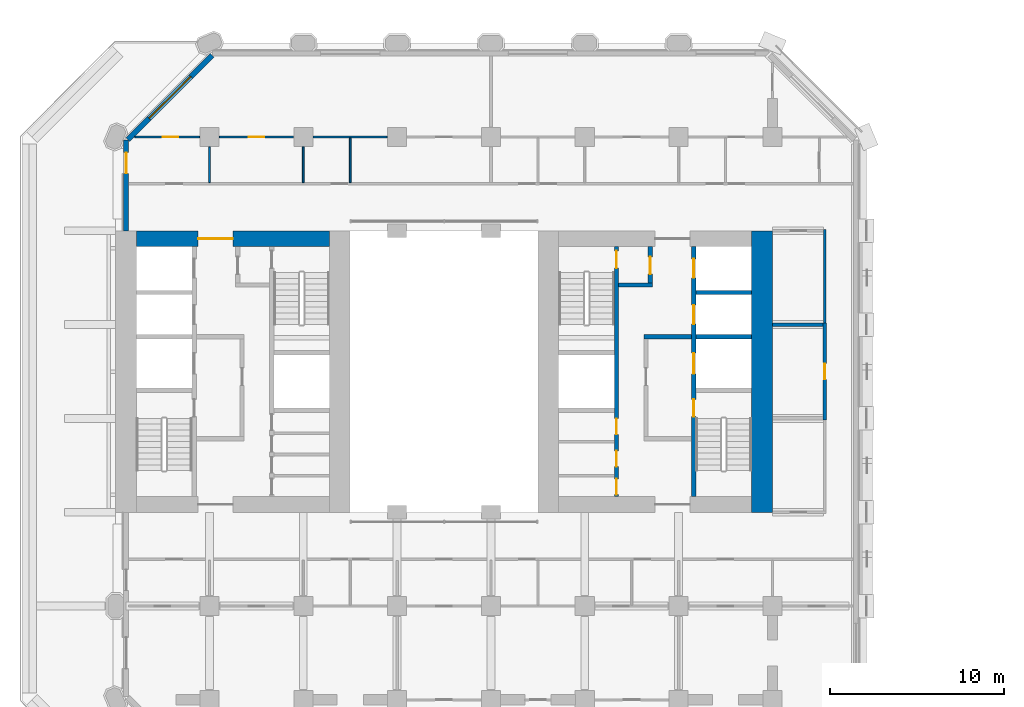
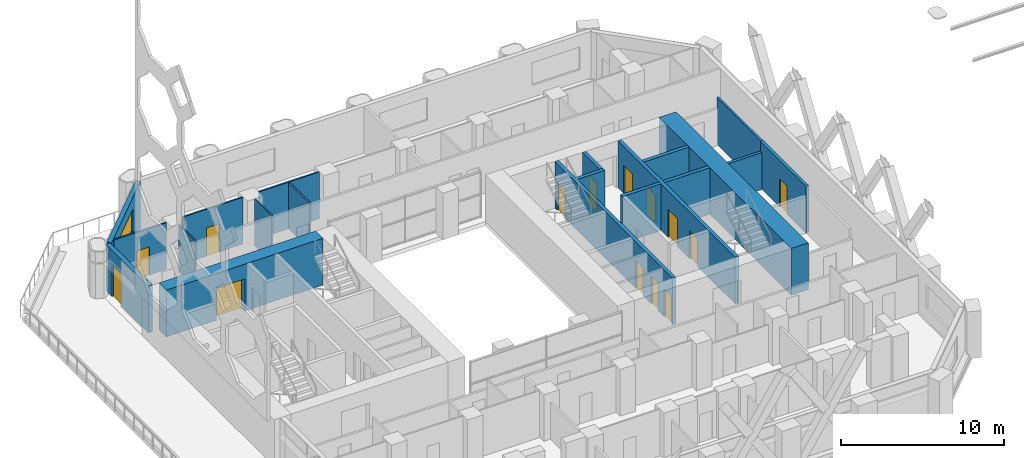
# One storey, part 9 of 14: 20 walls, 14 doors, 1 window, 15 openings.
"""IFC4 building model written with IfcOpenShell, lengths in metres."""

from ifc_helpers import new_model, si_unit, direction, frame, frame_2d, origin, place, context, subcontext, project, spatial, rectangle, extrude, material, layer, layer_set, type_object, element, fill, save


model = new_model("IFC4")

# Units and contexts
model_context = context("Model", 3, precision=1e-05, world=origin(), true_north=direction((0.0, 1.0)))
body_context = subcontext(model_context, "Body", "Model", "MODEL_VIEW")
ifc_project = project(units=[si_unit("LENGTHUNIT", "METRE"), si_unit("AREAUNIT", "SQUARE_METRE"), si_unit("VOLUMEUNIT", "CUBIC_METRE"), si_unit("PLANEANGLEUNIT", "RADIAN"), si_unit("MASSUNIT", "GRAM", prefix="KILO")], contexts=[model_context])

# Site, building, storey
site_placement = place(None, origin())
site = spatial("IfcSite", under=ifc_project, at=site_placement, CompositionType="ELEMENT")
building_placement = place(site_placement, origin())
building = spatial("IfcBuilding", under=site, at=building_placement, Name="Tabaq Tower and Sports Hall", CompositionType="ELEMENT")
storey_placement = place(building_placement, frame((0.0, 0.0, 33.60009765625)))
storey = spatial("IfcBuildingStorey", under=building, at=storey_placement, Name="L06", CompositionType="ELEMENT", Elevation=33.60009765625)

# Wall
ifc_material_1 = material(Name="Concrete C60/75", Category="concrete")
ifc_layer_1 = layer(ifc_material_1, 1.199951171875)
ifc_layer_set_1 = layer_set([ifc_layer_1], Name="Core wall 1200 Concrete C60/75")
wall_type_1 = type_object("IfcWallType", Name="Core wall 1200 Concrete C60/75", PredefinedType="SOLIDWALL", material=ifc_layer_set_1)
wall_1_placement = place(storey_placement, frame((42.60009765625, 32.39990234375, 0.0), z_axis=(0.0, 0.0, 1.0), x_axis=(0.0, -1.0, 0.0)))
element("IfcWall", 1, at=wall_1_placement, inside=storey, type_object=wall_type_1, Name="Core wall E L06", PredefinedType="SOLIDWALL", context=body_context, shape_type="SweptSolid", body=[
    extrude(rectangle(XDim=16.199951171875, YDim=1.199951171875, at=frame_2d((8.10009765625, 0.0))), origin(), (0.0, 0.0, 1.0), 3.5),
])

# Wall, opening, door
ifc_material_2 = material(Name="Concrete C60/75", Category="concrete")
ifc_layer_2 = layer(ifc_material_2, 0.89990234375)
ifc_layer_set_2 = layer_set([ifc_layer_2], Name="Core wall 900 Concrete C60/75")
wall_type_2 = type_object("IfcWallType", Name="Core wall 900 Concrete C60/75", PredefinedType="SOLIDWALL", material=ifc_layer_set_2)
wall_2_placement = place(storey_placement, frame((6.60009765625, 31.949951171875, 0.0), z_axis=(0.0, 0.0, 1.0), x_axis=(1.0, 0.0, 0.0)))
wall_2 = element("IfcWall", 2, at=wall_2_placement, inside=storey, type_object=wall_type_2, Name="Core wall W L06", PredefinedType="SOLIDWALL", context=body_context, shape_type="SweptSolid", body=[
    extrude(rectangle(XDim=11.099853515625, YDim=0.89990234375, at=frame_2d((5.5498046875, 0.0))), origin(), (0.0, 0.0, 1.0), 3.5),
])
opening_1_placement = place(wall_2_placement, frame((3.550048828125, 0.0, 0.0)))
opening_1 = element("IfcOpeningElement", 3, at=opening_1_placement, cuts=wall_2, Name="Opening PD-WL06-02", PredefinedType="OPENING", context=body_context, shape_type="SweptSolid", body=[
    extrude(rectangle(XDim=2.0, YDim=2.39990234375, at=frame_2d((1.0, 1.199951171875))), frame((0.0, 0.449951171875, 0.0), z_axis=(0.0, -1.0, 0.0), x_axis=(1.0, 0.0, 0.0)), (0.0, 0.0, 1.0), 0.89990234375),
])
ifc_material_3 = material(Name="Steel fire door", Category="steel")
door_type_1 = type_object("IfcDoorType", Name="Core entrance door 2000", OperationType="DOUBLE_DOOR_SINGLE_SWING", PredefinedType="DOOR", material=ifc_material_3)
door_1_placement = place(opening_1_placement, origin())
door_1 = element("IfcDoor", 4, at=door_1_placement, inside=storey, type_object=door_type_1, Name="Core entrance north W L06", OperationType="DOUBLE_DOOR_SINGLE_SWING", OverallHeight=2.39990234375, OverallWidth=2.0, PredefinedType="DOOR", context=body_context, shape_type="SweptSolid", body=[
    extrude(rectangle(XDim=2.0, YDim=2.39990234375, at=frame_2d((1.0, 1.199951171875))), frame((0.0, 0.02490234375, 0.0), z_axis=(0.0, -1.0, 0.0), x_axis=(1.0, 0.0, 0.0)), (0.0, 0.0, 1.0), 0.050048828125),
])
fill(opening_1, door_1)

ifc_material_4 = material(Name="Blockwork", Category="masonry")
ifc_layer_3 = layer(ifc_material_4, 0.199951171875)
ifc_layer_set_3 = layer_set([ifc_layer_3], Name="Fire compartment wall 200 Blockwork")
wall_type_3 = type_object("IfcWallType", Name="Fire compartment wall 200 Blockwork", PredefinedType="PARTITIONING", material=ifc_layer_set_3)
wall_3_placement = place(storey_placement, frame((46.199951171875, 21.5, 0.0), z_axis=(0.0, 0.0, 1.0), x_axis=(0.0, 1.0, 0.0)))
wall_3 = element("IfcWall", 5, at=wall_3_placement, inside=storey, type_object=wall_type_3, Name="Compartment wall L06", PredefinedType="PARTITIONING", context=body_context, shape_type="SweptSolid", body=[
    extrude(rectangle(XDim=5.60009765625, YDim=0.199951171875, at=frame_2d((2.800048828125, 0.0))), origin(), (0.0, 0.0, 1.0), 3.5),
])
opening_2_placement = place(wall_3_placement, frame((2.35009765625, 0.0, 0.0)))
opening_2 = element("IfcOpeningElement", 6, at=opening_2_placement, cuts=wall_3, Name="Opening L06-010", PredefinedType="OPENING", context=body_context, shape_type="SweptSolid", body=[
    extrude(rectangle(XDim=0.89990234375, YDim=2.10009765625, at=frame_2d((0.449951171875, 1.050048828125))), frame((0.0, 0.10009765625, 0.0), z_axis=(0.0, -1.0, 0.0), x_axis=(1.0, 0.0, 0.0)), (0.0, 0.0, 1.0), 0.199951171875),
])
ifc_material_5 = material(Name="Steel fire door", Category="steel")
door_type_2 = type_object("IfcDoorType", Name="Plant room door 900 right hand", OperationType="SINGLE_SWING_RIGHT", PredefinedType="DOOR", material=ifc_material_5)
door_2_placement = place(opening_2_placement, origin())
door_2 = element("IfcDoor", 7, at=door_2_placement, inside=storey, type_object=door_type_2, Name="Plant room door L06-010", OperationType="SINGLE_SWING_RIGHT", OverallHeight=2.10009765625, OverallWidth=0.89990234375, PredefinedType="DOOR", context=body_context, shape_type="SweptSolid", body=[
    extrude(rectangle(XDim=0.89990234375, YDim=2.10009765625, at=frame_2d((0.449951171875, 1.050048828125))), frame((0.0, 0.02490234375, 0.0), z_axis=(0.0, -1.0, 0.0), x_axis=(1.0, 0.0, 0.0)), (0.0, 0.0, 1.0), 0.050048828125),
])
fill(opening_2, door_2)

# Wall
wall_4_placement = place(storey_placement, frame((46.10009765625, 27.0, 0.0), z_axis=(0.0, 0.0, 1.0), x_axis=(-1.0, 0.0, 0.0)))
element("IfcWall", 8, at=wall_4_placement, inside=storey, type_object=wall_type_3, Name="Compartment wall L06", PredefinedType="PARTITIONING", context=body_context, shape_type="SweptSolid", body=[
    extrude(rectangle(XDim=2.900146484375, YDim=0.199951171875, at=frame_2d((1.4501953125, 0.0))), origin(), (0.0, 0.0, 1.0), 2.75),
])

# Wall, opening, door
ifc_material_6 = material(Name="Gypsum board on steel studs", Category="steel")
ifc_layer_4 = layer(ifc_material_6, 0.10009765625)
ifc_layer_set_4 = layer_set([ifc_layer_4], Name="Partition 100 Gypsum board")
wall_type_4 = type_object("IfcWallType", Name="Partition 100 Gypsum board", PredefinedType="PARTITIONING", material=ifc_layer_set_4)
wall_5_placement = place(storey_placement, frame((10.22998046875, 37.800048828125, 0.0), z_axis=(0.0, 0.0, 1.0), x_axis=(-1.0, 0.0, 0.0)))
wall_5 = element("IfcWall", 9, at=wall_5_placement, inside=storey, type_object=wall_type_4, Name="Partition wall L06", PredefinedType="PARTITIONING", context=body_context, shape_type="SweptSolid", body=[
    extrude(rectangle(XDim=3.7177734375, YDim=0.10009765625, at=frame_2d((1.85888671875, 0.0))), origin(), (0.0, 0.0, 1.0), 3.5),
])
opening_3_placement = place(wall_5_placement, frame((1.22998046875, 0.0, 0.0)))
opening_3 = element("IfcOpeningElement", 10, at=opening_3_placement, cuts=wall_5, Name="Opening L06-027", PredefinedType="OPENING", context=body_context, shape_type="SweptSolid", body=[
    extrude(rectangle(XDim=0.89990234375, YDim=2.10009765625, at=frame_2d((0.449951171875, 1.050048828125))), frame((0.0, 0.050048828125, 0.0), z_axis=(0.0, -1.0, 0.0), x_axis=(1.0, 0.0, 0.0)), (0.0, 0.0, 1.0), 0.10009765625),
])
ifc_material_7 = material(Name="Timber leaf in steel frame", Category="steel")
door_type_3 = type_object("IfcDoorType", Name="Internal door 900 right hand", OperationType="SINGLE_SWING_RIGHT", PredefinedType="DOOR", material=ifc_material_7)
door_3_placement = place(opening_3_placement, origin())
door_3 = element("IfcDoor", 11, at=door_3_placement, inside=storey, type_object=door_type_3, Name="Internal door L06-027", OperationType="SINGLE_SWING_RIGHT", OverallHeight=2.10009765625, OverallWidth=0.89990234375, PredefinedType="DOOR", context=body_context, shape_type="SweptSolid", body=[
    extrude(rectangle(XDim=0.89990234375, YDim=2.10009765625, at=frame_2d((0.449951171875, 1.050048828125))), frame((0.0, 0.02490234375, 0.0), z_axis=(0.0, -1.0, 0.0), x_axis=(1.0, 0.0, 0.0)), (0.0, 0.0, 1.0), 0.050048828125),
])
fill(opening_3, door_3)

# Walls
for number, where, z_axis, x_axis, name in (
    (12, (10.800048828125, 35.175048828125, 0.0), (0.0, 0.0, 1.0), (0.0, 1.0, 0.0), "Partition wall L06"),
    (13, (16.199951171875, 35.175048828125, 0.0), (0.0, 0.0, 1.0), (0.0, 1.0, 0.0), "Partition wall L06"),
):
    element("IfcWall", number, at=place(storey_placement, frame(where, z_axis=z_axis, x_axis=x_axis)), inside=storey, type_object=wall_type_4, Name=name, PredefinedType="PARTITIONING", context=body_context, shape_type="SweptSolid", body=[
        extrude(rectangle(XDim=2.054931640625, YDim=0.10009765625, at=frame_2d((1.02734375, 0.0))), origin(), (0.0, 0.0, 1.0), 3.5),
    ])

# Wall, opening, door
wall_6_placement = place(storey_placement, frame((15.6298828125, 37.800048828125, 0.0), z_axis=(0.0, 0.0, 1.0), x_axis=(-1.0, 0.0, 0.0)))
wall_6 = element("IfcWall", 14, at=wall_6_placement, inside=storey, type_object=wall_type_4, Name="Partition wall L06", PredefinedType="PARTITIONING", context=body_context, shape_type="SweptSolid", body=[
    extrude(rectangle(XDim=4.259765625, YDim=0.10009765625, at=frame_2d((2.1298828125, 0.0))), origin(), (0.0, 0.0, 1.0), 3.5),
])
opening_4_placement = place(wall_6_placement, frame((1.679931640625, 0.0, 0.0)))
opening_4 = element("IfcOpeningElement", 15, at=opening_4_placement, cuts=wall_6, Name="Opening L06-012", PredefinedType="OPENING", context=body_context, shape_type="SweptSolid", body=[
    extrude(rectangle(XDim=0.89990234375, YDim=2.10009765625, at=frame_2d((0.449951171875, 1.050048828125))), frame((0.0, 0.050048828125, 0.0), z_axis=(0.0, -1.0, 0.0), x_axis=(1.0, 0.0, 0.0)), (0.0, 0.0, 1.0), 0.10009765625),
])
ifc_material_8 = material(Name="Timber leaf in steel frame", Category="steel")
door_type_4 = type_object("IfcDoorType", Name="Internal door 900 left hand", OperationType="SINGLE_SWING_LEFT", PredefinedType="DOOR", material=ifc_material_8)
door_4_placement = place(opening_4_placement, origin())
door_4 = element("IfcDoor", 16, at=door_4_placement, inside=storey, type_object=door_type_4, Name="Internal door L06-012", OperationType="SINGLE_SWING_LEFT", OverallHeight=2.10009765625, OverallWidth=0.89990234375, PredefinedType="DOOR", context=body_context, shape_type="SweptSolid", body=[
    extrude(rectangle(XDim=0.89990234375, YDim=2.10009765625, at=frame_2d((0.449951171875, 1.050048828125))), frame((0.0, 0.02490234375, 0.0), z_axis=(0.0, -1.0, 0.0), x_axis=(1.0, 0.0, 0.0)), (0.0, 0.0, 1.0), 0.050048828125),
])
fill(opening_4, door_4)

# Walls
wall_7_placement = place(storey_placement, frame((18.89990234375, 35.175048828125, 0.0), z_axis=(0.0, 0.0, 1.0), x_axis=(0.0, 1.0, 0.0)))
element("IfcWall", 17, at=wall_7_placement, inside=storey, type_object=wall_type_4, Name="Partition wall L06", PredefinedType="PARTITIONING", context=body_context, shape_type="SweptSolid", body=[
    extrude(rectangle(XDim=2.574951171875, YDim=0.10009765625, at=frame_2d((1.28759765625, 0.0))), origin(), (0.0, 0.0, 1.0), 3.5),
])
wall_8_placement = place(storey_placement, frame((21.030029296875, 37.800048828125, 0.0), z_axis=(0.0, 0.0, 1.0), x_axis=(-1.0, 0.0, 0.0)))
element("IfcWall", 18, at=wall_8_placement, inside=storey, type_object=wall_type_4, Name="Partition wall L06", PredefinedType="PARTITIONING", context=body_context, shape_type="SweptSolid", body=[
    extrude(rectangle(XDim=4.260009765625, YDim=0.10009765625, at=frame_2d((2.1298828125, 0.0))), origin(), (0.0, 0.0, 1.0), 3.5),
])
ifc_material_9 = material(Name="Blockwork", Category="masonry")
ifc_layer_5 = layer(ifc_material_9, 0.14990234375)
ifc_layer_set_5 = layer_set([ifc_layer_5], Name="Separating wall 150 Blockwork")
wall_type_5 = type_object("IfcWallType", Name="Separating wall 150 Blockwork", PredefinedType="PARTITIONING", material=ifc_layer_set_5)
wall_9_placement = place(storey_placement, frame((46.199951171875, 27.10009765625, 0.0), z_axis=(0.0, 0.0, 1.0), x_axis=(0.0, 1.0, 0.0)))
element("IfcWall", 19, at=wall_9_placement, inside=storey, type_object=wall_type_5, Name="Separating wall L06", PredefinedType="PARTITIONING", context=body_context, shape_type="SweptSolid", body=[
    extrude(rectangle(XDim=5.375, YDim=0.14990234375, at=frame_2d((2.6875, 0.0))), origin(), (0.0, 0.0, 1.0), 3.5),
])

# Wall, openings, doors
ifc_material_10 = material(Name="Concrete C40/50", Category="concrete")
ifc_layer_6 = layer(ifc_material_10, 0.25)
ifc_layer_set_6 = layer_set([ifc_layer_6], Name="Shaft and stair wall 250 Concrete C40/50")
wall_type_6 = type_object("IfcWallType", Name="Shaft and stair wall 250 Concrete C40/50", PredefinedType="SOLIDWALL", material=ifc_layer_set_6)
wall_10_placement = place(storey_placement, frame((38.675048828125, 17.10009765625, 0.0), z_axis=(0.0, 0.0, 1.0), x_axis=(0.0, 1.0, 0.0)))
wall_10 = element("IfcWall", 20, at=wall_10_placement, inside=storey, type_object=wall_type_6, Name="Shaft wall E L06", PredefinedType="SOLIDWALL", context=body_context, shape_type="SweptSolid", body=[
    extrude(rectangle(XDim=14.39990234375, YDim=0.25, at=frame_2d((7.199951171875, 0.0))), origin(), (0.0, 0.0, 1.0), 3.5),
])
opening_5_placement = place(wall_10_placement, frame((4.60009765625, 0.0, 0.0)))
opening_5 = element("IfcOpeningElement", 21, at=opening_5_placement, cuts=wall_10, Name="Opening SD-EL06-03", PredefinedType="OPENING", context=body_context, shape_type="SweptSolid", body=[
    extrude(rectangle(XDim=1.0, YDim=2.10009765625, at=frame_2d((0.5, 1.050048828125))), frame((0.0, 0.125, 0.0), z_axis=(0.0, -1.0, 0.0), x_axis=(1.0, 0.0, 0.0)), (0.0, 0.0, 1.0), 0.25),
])
opening_6_placement = place(wall_10_placement, frame((7.0625, 0.0, 0.0)))
opening_6 = element("IfcOpeningElement", 22, at=opening_6_placement, cuts=wall_10, Name="Opening LD-FF2-L06", PredefinedType="OPENING", context=body_context, shape_type="SweptSolid", body=[
    extrude(rectangle(XDim=1.199951171875, YDim=2.10009765625, at=frame_2d((0.60009765625, 1.050048828125))), frame((0.0, 0.125, 0.0), z_axis=(0.0, -1.0, 0.0), x_axis=(1.0, 0.0, 0.0)), (0.0, 0.0, 1.0), 0.25),
])
opening_7_placement = place(wall_10_placement, frame((9.925048828125, 0.0, 0.0)))
opening_7 = element("IfcOpeningElement", 23, at=opening_7_placement, cuts=wall_10, Name="Opening LD-LR3-L06", PredefinedType="OPENING", context=body_context, shape_type="SweptSolid", body=[
    extrude(rectangle(XDim=1.10009765625, YDim=2.10009765625, at=frame_2d((0.550048828125, 1.050048828125))), frame((0.0, 0.125, 0.0), z_axis=(0.0, -1.0, 0.0), x_axis=(1.0, 0.0, 0.0)), (0.0, 0.0, 1.0), 0.25),
])
opening_8_placement = place(wall_10_placement, frame((12.58740234375, 0.0, 0.0)))
opening_8 = element("IfcOpeningElement", 24, at=opening_8_placement, cuts=wall_10, Name="Opening LD-LR4-L06", PredefinedType="OPENING", context=body_context, shape_type="SweptSolid", body=[
    extrude(rectangle(XDim=1.10009765625, YDim=2.10009765625, at=frame_2d((0.550048828125, 1.050048828125))), frame((0.0, 0.125, 0.0), z_axis=(0.0, -1.0, 0.0), x_axis=(1.0, 0.0, 0.0)), (0.0, 0.0, 1.0), 0.25),
])
ifc_material_11 = material(Name="Stainless steel", Category="steel")
door_type_5 = type_object("IfcDoorType", Name="Lift landing door 1100", OperationType="DOUBLE_DOOR_SLIDING", PredefinedType="DOOR", material=ifc_material_11)
door_5_placement = place(opening_7_placement, origin())
door_5 = element("IfcDoor", 25, at=door_5_placement, inside=storey, type_object=door_type_5, Name="Lift landing door LR3 E L06", OperationType="DOUBLE_DOOR_SLIDING", OverallHeight=2.10009765625, OverallWidth=1.10009765625, PredefinedType="DOOR", context=body_context, shape_type="SweptSolid", body=[
    extrude(rectangle(XDim=1.10009765625, YDim=2.10009765625, at=frame_2d((0.550048828125, 1.050048828125))), frame((0.0, 0.02490234375, 0.0), z_axis=(0.0, -1.0, 0.0), x_axis=(1.0, 0.0, 0.0)), (0.0, 0.0, 1.0), 0.050048828125),
])
fill(opening_7, door_5)
door_6_placement = place(opening_8_placement, origin())
door_6 = element("IfcDoor", 26, at=door_6_placement, inside=storey, type_object=door_type_5, Name="Lift landing door LR4 E L06", OperationType="DOUBLE_DOOR_SLIDING", OverallHeight=2.10009765625, OverallWidth=1.10009765625, PredefinedType="DOOR", context=body_context, shape_type="SweptSolid", body=[
    extrude(rectangle(XDim=1.10009765625, YDim=2.10009765625, at=frame_2d((0.550048828125, 1.050048828125))), frame((0.0, 0.02490234375, 0.0), z_axis=(0.0, -1.0, 0.0), x_axis=(1.0, 0.0, 0.0)), (0.0, 0.0, 1.0), 0.050048828125),
])
fill(opening_8, door_6)
ifc_material_12 = material(Name="Stainless steel", Category="steel")
door_type_6 = type_object("IfcDoorType", Name="Lift landing door 1200", OperationType="DOUBLE_DOOR_SLIDING", PredefinedType="DOOR", material=ifc_material_12)
door_7_placement = place(opening_6_placement, origin())
door_7 = element("IfcDoor", 27, at=door_7_placement, inside=storey, type_object=door_type_6, Name="Lift landing door FF2 E L06", OperationType="DOUBLE_DOOR_SLIDING", OverallHeight=2.10009765625, OverallWidth=1.199951171875, PredefinedType="DOOR", context=body_context, shape_type="SweptSolid", body=[
    extrude(rectangle(XDim=1.199951171875, YDim=2.10009765625, at=frame_2d((0.60009765625, 1.050048828125))), frame((0.0, 0.02490234375, 0.0), z_axis=(0.0, -1.0, 0.0), x_axis=(1.0, 0.0, 0.0)), (0.0, 0.0, 1.0), 0.050048828125),
])
fill(opening_6, door_7)
ifc_material_13 = material(Name="Steel fire door", Category="steel")
door_type_7 = type_object("IfcDoorType", Name="Stair door 1000", OperationType="SINGLE_SWING_LEFT", PredefinedType="DOOR", material=ifc_material_13)
door_8_placement = place(opening_5_placement, origin())
door_8 = element("IfcDoor", 28, at=door_8_placement, inside=storey, type_object=door_type_7, Name="Stair door ST3 E L06", OperationType="SINGLE_SWING_LEFT", OverallHeight=2.10009765625, OverallWidth=1.0, PredefinedType="DOOR", context=body_context, shape_type="SweptSolid", body=[
    extrude(rectangle(XDim=1.0, YDim=2.10009765625, at=frame_2d((0.5, 1.050048828125))), frame((0.0, 0.02490234375, 0.0), z_axis=(0.0, -1.0, 0.0), x_axis=(1.0, 0.0, 0.0)), (0.0, 0.0, 1.0), 0.050048828125),
])
fill(opening_5, door_8)

wall_11_placement = place(storey_placement, frame((34.22509765625, 17.10009765625, 0.0), z_axis=(0.0, 0.0, 1.0), x_axis=(0.0, 1.0, 0.0)))
wall_11 = element("IfcWall", 29, at=wall_11_placement, inside=storey, type_object=wall_type_6, Name="Shaft wall E L06", PredefinedType="SOLIDWALL", context=body_context, shape_type="SweptSolid", body=[
    extrude(rectangle(XDim=14.39990234375, YDim=0.25, at=frame_2d((7.199951171875, 0.0))), origin(), (0.0, 0.0, 1.0), 3.5),
])
opening_9_placement = place(wall_11_placement, frame((13.14990234375, 0.0, 0.0)))
opening_9 = element("IfcOpeningElement", 30, at=opening_9_placement, cuts=wall_11, Name="Opening SD-EL06-05", PredefinedType="OPENING", context=body_context, shape_type="SweptSolid", body=[
    extrude(rectangle(XDim=1.0, YDim=2.10009765625, at=frame_2d((0.5, 1.050048828125))), frame((0.0, 0.125, 0.0), z_axis=(0.0, -1.0, 0.0), x_axis=(1.0, 0.0, 0.0)), (0.0, 0.0, 1.0), 0.25),
])
opening_10_placement = place(wall_11_placement, frame((0.118408203125, 0.0, 0.0)))
opening_10 = element("IfcOpeningElement", 31, at=opening_10_placement, cuts=wall_11, Name="Opening RD-EL06-10", PredefinedType="OPENING", context=body_context, shape_type="SweptSolid", body=[
    extrude(rectangle(XDim=0.89990234375, YDim=2.10009765625, at=frame_2d((0.449951171875, 1.050048828125))), frame((0.0, 0.125, 0.0), z_axis=(0.0, -1.0, 0.0), x_axis=(1.0, 0.0, 0.0)), (0.0, 0.0, 1.0), 0.25),
])
opening_11_placement = place(wall_11_placement, frame((1.73193359375, 0.0, 0.0)))
opening_11 = element("IfcOpeningElement", 32, at=opening_11_placement, cuts=wall_11, Name="Opening RD-EL06-11", PredefinedType="OPENING", context=body_context, shape_type="SweptSolid", body=[
    extrude(rectangle(XDim=0.89990234375, YDim=2.10009765625, at=frame_2d((0.449951171875, 1.050048828125))), frame((0.0, 0.125, 0.0), z_axis=(0.0, -1.0, 0.0), x_axis=(1.0, 0.0, 0.0)), (0.0, 0.0, 1.0), 0.25),
])
opening_12_placement = place(wall_11_placement, frame((3.58837890625, 0.0, 0.0)))
opening_12 = element("IfcOpeningElement", 33, at=opening_12_placement, cuts=wall_11, Name="Opening RD-EL06-12", PredefinedType="OPENING", context=body_context, shape_type="SweptSolid", body=[
    extrude(rectangle(XDim=0.89990234375, YDim=2.10009765625, at=frame_2d((0.449951171875, 1.050048828125))), frame((0.0, 0.125, 0.0), z_axis=(0.0, -1.0, 0.0), x_axis=(1.0, 0.0, 0.0)), (0.0, 0.0, 1.0), 0.25),
])
ifc_material_14 = material(Name="Steel fire door", Category="steel")
door_type_8 = type_object("IfcDoorType", Name="Core room door 900", OperationType="SINGLE_SWING_LEFT", PredefinedType="DOOR", material=ifc_material_14)
door_9_placement = place(opening_10_placement, origin())
door_9 = element("IfcDoor", 34, at=door_9_placement, inside=storey, type_object=door_type_8, Name="Door Electrical Riser Room E L06", OperationType="SINGLE_SWING_LEFT", OverallHeight=2.10009765625, OverallWidth=0.89990234375, PredefinedType="DOOR", context=body_context, shape_type="SweptSolid", body=[
    extrude(rectangle(XDim=0.89990234375, YDim=2.10009765625, at=frame_2d((0.449951171875, 1.050048828125))), frame((0.0, 0.02490234375, 0.0), z_axis=(0.0, -1.0, 0.0), x_axis=(1.0, 0.0, 0.0)), (0.0, 0.0, 1.0), 0.050048828125),
])
fill(opening_10, door_9)
door_10_placement = place(opening_11_placement, origin())
door_10 = element("IfcDoor", 35, at=door_10_placement, inside=storey, type_object=door_type_8, Name="Door Unisex WC E L06", OperationType="SINGLE_SWING_LEFT", OverallHeight=2.10009765625, OverallWidth=0.89990234375, PredefinedType="DOOR", context=body_context, shape_type="SweptSolid", body=[
    extrude(rectangle(XDim=0.89990234375, YDim=2.10009765625, at=frame_2d((0.449951171875, 1.050048828125))), frame((0.0, 0.02490234375, 0.0), z_axis=(0.0, -1.0, 0.0), x_axis=(1.0, 0.0, 0.0)), (0.0, 0.0, 1.0), 0.050048828125),
])
fill(opening_11, door_10)
door_11_placement = place(opening_12_placement, origin())
door_11 = element("IfcDoor", 36, at=door_11_placement, inside=storey, type_object=door_type_8, Name="Door Accessible WC E L06", OperationType="SINGLE_SWING_LEFT", OverallHeight=2.10009765625, OverallWidth=0.89990234375, PredefinedType="DOOR", context=body_context, shape_type="SweptSolid", body=[
    extrude(rectangle(XDim=0.89990234375, YDim=2.10009765625, at=frame_2d((0.449951171875, 1.050048828125))), frame((0.0, 0.02490234375, 0.0), z_axis=(0.0, -1.0, 0.0), x_axis=(1.0, 0.0, 0.0)), (0.0, 0.0, 1.0), 0.050048828125),
])
fill(opening_12, door_11)
door_12_placement = place(opening_9_placement, origin())
door_12 = element("IfcDoor", 37, at=door_12_placement, inside=storey, type_object=door_type_7, Name="Stair door ST4 E L06", OperationType="SINGLE_SWING_LEFT", OverallHeight=2.10009765625, OverallWidth=1.0, PredefinedType="DOOR", context=body_context, shape_type="SweptSolid", body=[
    extrude(rectangle(XDim=1.0, YDim=2.10009765625, at=frame_2d((0.5, 1.050048828125))), frame((0.0, 0.02490234375, 0.0), z_axis=(0.0, -1.0, 0.0), x_axis=(1.0, 0.0, 0.0)), (0.0, 0.0, 1.0), 0.050048828125),
])
fill(opening_9, door_12)

# Walls
wall_12_placement = place(storey_placement, frame((38.800048828125, 26.300048828125, 0.0), z_axis=(0.0, 0.0, 1.0), x_axis=(1.0, 0.0, 0.0)))
element("IfcWall", 38, at=wall_12_placement, inside=storey, type_object=wall_type_6, Name="Shaft wall E L06", PredefinedType="SOLIDWALL", context=body_context, shape_type="SweptSolid", body=[
    extrude(rectangle(XDim=3.199951171875, YDim=0.25, at=frame_2d((1.60009765625, 0.0))), origin(), (0.0, 0.0, 1.0), 3.5),
])
wall_13_placement = place(storey_placement, frame((35.800048828125, 26.300048828125, 0.0), z_axis=(0.0, 0.0, 1.0), x_axis=(1.0, 0.0, 0.0)))
element("IfcWall", 39, at=wall_13_placement, inside=storey, type_object=wall_type_6, Name="Fire-fighting lobby wall E L06", PredefinedType="SOLIDWALL", context=body_context, shape_type="SweptSolid", body=[
    extrude(rectangle(XDim=2.75, YDim=0.25, at=frame_2d((1.375, 0.0))), origin(), (0.0, 0.0, 1.0), 3.5),
])

# Wall, opening, door
wall_14_placement = place(storey_placement, frame((36.175048828125, 29.39990234375, 0.0), z_axis=(0.0, 0.0, 1.0), x_axis=(0.0, 1.0, 0.0)))
wall_14 = element("IfcWall", 40, at=wall_14_placement, inside=storey, type_object=wall_type_6, Name="Fire-fighting lobby wall E L06", PredefinedType="SOLIDWALL", context=body_context, shape_type="SweptSolid", body=[
    extrude(rectangle(XDim=2.10009765625, YDim=0.25, at=frame_2d((1.050048828125, 0.0))), origin(), (0.0, 0.0, 1.0), 3.5),
])
opening_13_placement = place(wall_14_placement, frame((0.5, 0.0, 0.0)))
opening_13 = element("IfcOpeningElement", 41, at=opening_13_placement, cuts=wall_14, Name="Opening FD-EL06-06", PredefinedType="OPENING", context=body_context, shape_type="SweptSolid", body=[
    extrude(rectangle(XDim=1.0, YDim=2.10009765625, at=frame_2d((0.5, 1.050048828125))), frame((0.0, 0.125, 0.0), z_axis=(0.0, -1.0, 0.0), x_axis=(1.0, 0.0, 0.0)), (0.0, 0.0, 1.0), 0.25),
])
ifc_material_15 = material(Name="Steel fire door", Category="steel")
door_type_9 = type_object("IfcDoorType", Name="Fire-fighting lobby door 1000", OperationType="SINGLE_SWING_LEFT", PredefinedType="DOOR", material=ifc_material_15)
door_13_placement = place(opening_13_placement, origin())
door_13 = element("IfcDoor", 42, at=door_13_placement, inside=storey, type_object=door_type_9, Name="Stair lobby door E L06", OperationType="SINGLE_SWING_LEFT", OverallHeight=2.10009765625, OverallWidth=1.0, PredefinedType="DOOR", context=body_context, shape_type="SweptSolid", body=[
    extrude(rectangle(XDim=1.0, YDim=2.10009765625, at=frame_2d((0.5, 1.050048828125))), frame((0.0, 0.02490234375, 0.0), z_axis=(0.0, -1.0, 0.0), x_axis=(1.0, 0.0, 0.0)), (0.0, 0.0, 1.0), 0.050048828125),
])
fill(opening_13, door_13)

# Walls
wall_15_placement = place(storey_placement, frame((34.35009765625, 29.27490234375, 0.0), z_axis=(0.0, 0.0, 1.0), x_axis=(1.0, 0.0, 0.0)))
element("IfcWall", 43, at=wall_15_placement, inside=storey, type_object=wall_type_6, Name="Fire-fighting lobby wall E L06", PredefinedType="SOLIDWALL", context=body_context, shape_type="SweptSolid", body=[
    extrude(rectangle(XDim=1.949951171875, YDim=0.25, at=frame_2d((0.97509765625, 0.0))), origin(), (0.0, 0.0, 1.0), 3.5),
])
wall_16_placement = place(storey_placement, frame((38.800048828125, 28.85009765625, 0.0), z_axis=(0.0, 0.0, 1.0), x_axis=(1.0, 0.0, 0.0)))
element("IfcWall", 44, at=wall_16_placement, inside=storey, type_object=wall_type_6, Name="Shaft wall E L06", PredefinedType="SOLIDWALL", context=body_context, shape_type="SweptSolid", body=[
    extrude(rectangle(XDim=3.199951171875, YDim=0.25, at=frame_2d((1.60009765625, 0.0))), origin(), (0.0, 0.0, 1.0), 3.5),
])

# Wall, opening, window
ifc_material_16 = material(Name="White precast concrete C60/75", Category="concrete")
ifc_layer_7 = layer(ifc_material_16, 0.300048828125)
ifc_layer_set_7 = layer_set([ifc_layer_7], Name="White precast concrete C60/75 external wall 300")
wall_type_7 = type_object("IfcWallType", Name="White precast concrete C60/75 external wall 300", PredefinedType="SOLIDWALL", material=ifc_layer_set_7)
wall_17_placement = place(storey_placement, frame((10.949462890625, 42.5009765625, 0.0), z_axis=(0.0, 0.0, 1.0), x_axis=(-0.707106781187, -0.707106781187, 0.0)))
wall_17 = element("IfcWall", 45, at=wall_17_placement, inside=storey, type_object=wall_type_7, Name="External Wall L06 NW", PredefinedType="SOLIDWALL", context=body_context, shape_type="SweptSolid", body=[
    extrude(rectangle(XDim=6.85986328125, YDim=0.300048828125, at=frame_2d((3.429931640625, 0.0))), origin(), (0.0, 0.0, 1.0), 3.5),
])
opening_14_placement = place(wall_17_placement, frame((1.729736328125, 0.0, 0.89990234375)))
opening_14 = element("IfcOpeningElement", 46, at=opening_14_placement, cuts=wall_17, Name="Opening W1A", PredefinedType="OPENING", context=body_context, shape_type="SweptSolid", body=[
    extrude(rectangle(XDim=3.39990234375, YDim=1.699951171875, at=frame_2d((1.699951171875, 0.85009765625))), frame((0.0, 0.16015625, 0.0), z_axis=(0.0, -1.0, 0.0), x_axis=(1.0, 0.0, 0.0)), (0.0, 0.0, 1.0), 0.320068359375),
])
ifc_material_17 = material(Name="Aluminium framed clear glazing", Category="aluminium")
window_type = type_object("IfcWindowType", Name="Window W1A", PartitioningType="SINGLE_PANEL", PredefinedType="WINDOW", material=ifc_material_17)
window_placement = place(opening_14_placement, origin())
window = element("IfcWindow", 47, at=window_placement, inside=storey, type_object=window_type, Name="Window W1A L06", OverallHeight=1.699951171875, OverallWidth=3.39990234375, PartitioningType="SINGLE_PANEL", PredefinedType="WINDOW", context=body_context, shape_type="SweptSolid", body=[
    extrude(rectangle(XDim=3.39990234375, YDim=1.699951171875, at=frame_2d((1.699951171875, 0.85009765625))), frame((0.0, 0.030029296875, 0.0), z_axis=(0.0, -1.0, 0.0), x_axis=(1.0, 0.0, 0.0)), (0.0, 0.0, 1.0), 0.06005859375),
])
fill(opening_14, window)

# Wall, opening, door
wall_18_placement = place(storey_placement, frame((6.0, 37.613525390625, 0.0), z_axis=(0.0, 0.0, 1.0), x_axis=(0.0, -1.0, 0.0)))
wall_18 = element("IfcWall", 48, at=wall_18_placement, inside=storey, type_object=wall_type_7, Name="External Wall L06 W", PredefinedType="SOLIDWALL", context=body_context, shape_type="SweptSolid", body=[
    extrude(rectangle(XDim=5.213623046875, YDim=0.300048828125, at=frame_2d((2.60693359375, 0.0))), origin(), (0.0, 0.0, 1.0), 3.5),
])
opening_15_placement = place(wall_18_placement, frame((0.713623046875, 0.0, 0.0)))
opening_15 = element("IfcOpeningElement", 49, at=opening_15_placement, cuts=wall_18, Name="Opening TD0601", PredefinedType="OPENING", context=body_context, shape_type="SweptSolid", body=[
    extrude(rectangle(XDim=1.199951171875, YDim=2.39990234375, at=frame_2d((0.60009765625, 1.199951171875))), frame((0.0, 0.16015625, 0.0), z_axis=(0.0, -1.0, 0.0), x_axis=(1.0, 0.0, 0.0)), (0.0, 0.0, 1.0), 0.320068359375),
])
ifc_material_18 = material(Name="Aluminium framed clear glazing", Category="aluminium")
door_type_10 = type_object("IfcDoorType", Name="Terrace door TD2", OperationType="SINGLE_SWING_LEFT", PredefinedType="DOOR", material=ifc_material_18)
door_14_placement = place(opening_15_placement, origin())
door_14 = element("IfcDoor", 50, at=door_14_placement, inside=storey, type_object=door_type_10, Name="Terrace door TD0601", OperationType="SINGLE_SWING_LEFT", OverallHeight=2.39990234375, OverallWidth=1.199951171875, PredefinedType="DOOR", context=body_context, shape_type="SweptSolid", body=[
    extrude(rectangle(XDim=1.199951171875, YDim=2.39990234375, at=frame_2d((0.60009765625, 1.199951171875))), frame((0.0, 0.02490234375, 0.0), z_axis=(0.0, -1.0, 0.0), x_axis=(1.0, 0.0, 0.0)), (0.0, 0.0, 1.0), 0.050048828125),
])
fill(opening_15, door_14)

save(model, "model.ifc")
